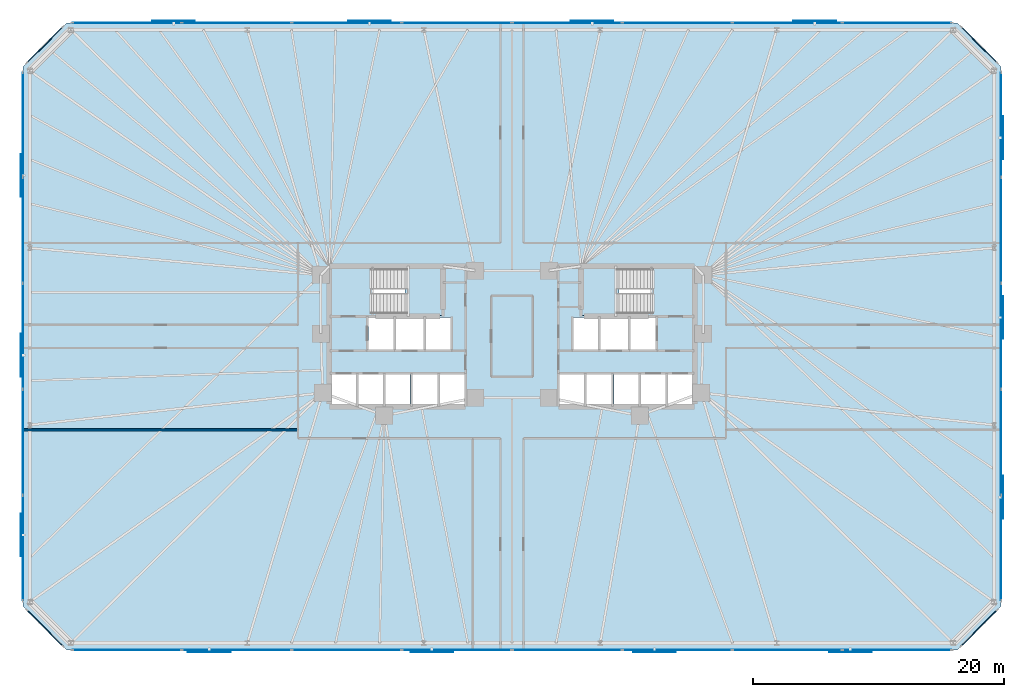
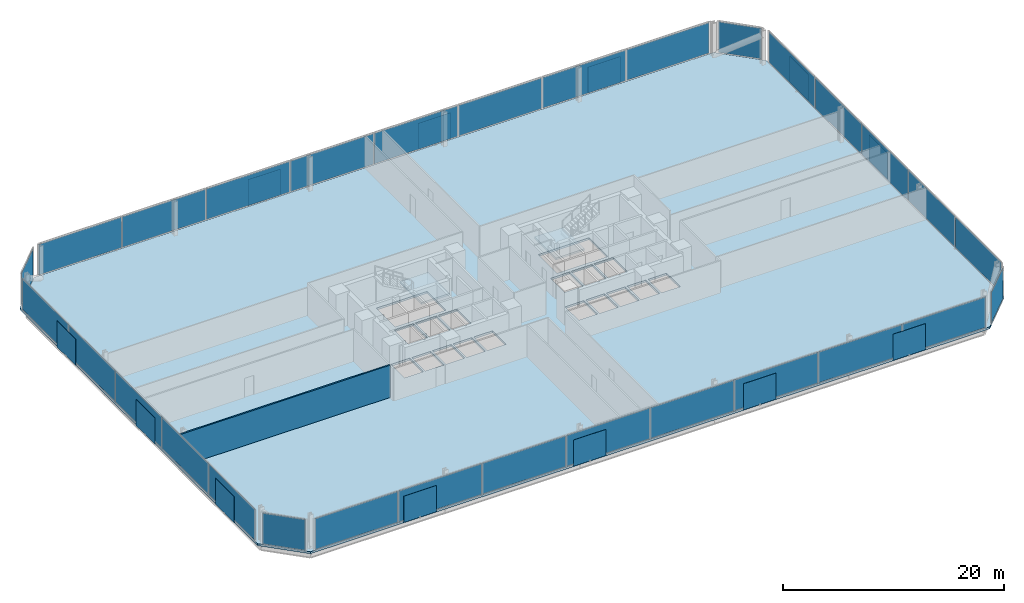
# One storey, part 11 of 16: 44 plates, 3 slabs, 1 wall, 10 elements without a shape of their own.
"""IFC4 building model written with IfcOpenShell, lengths in metres."""

from ifc_helpers import new_model, si_unit, direction, frame, frame_2d, origin, origin_2d, place, context, subcontext, project, spatial, polyline, rectangle, outline, extrude, material, layer, layer_set, type_object, element, aggregate, save


model = new_model("IFC4")

# Units and contexts
model_context = context("Model", 3, precision=1e-05, world=origin(), true_north=direction((0.0, 1.0)))
body_context = subcontext(model_context, "Body", "Model", "MODEL_VIEW")
ifc_project = project(units=[si_unit("LENGTHUNIT", "METRE"), si_unit("AREAUNIT", "SQUARE_METRE"), si_unit("VOLUMEUNIT", "CUBIC_METRE"), si_unit("PLANEANGLEUNIT", "RADIAN"), si_unit("MASSUNIT", "GRAM", prefix="KILO")], contexts=[model_context])

# Site, building, storey
site_placement = place(None, origin())
site = spatial("IfcSite", under=ifc_project, at=site_placement, CompositionType="ELEMENT")
building_placement = place(site_placement, origin())
building = spatial("IfcBuilding", under=site, at=building_placement, Name="Menara Jurai Vektor", CompositionType="ELEMENT")
storey_placement = place(building_placement, frame((0.0, 0.0, 40.800048828125)))
storey = spatial("IfcBuildingStorey", under=building, at=storey_placement, Name="L09", CompositionType="ELEMENT", Elevation=40.800048828125)

# Curtain wall, plates
ifc_material_1 = material(Name="Anodised Pale Aluminium & Low-E Double Glazing", Category="aluminium")
curtain_wall_type = type_object("IfcCurtainWallType", Name="CW-BLK1", PredefinedType="NOTDEFINED", material=ifc_material_1)
curtain_wall_1_placement = place(storey_placement, origin())
curtain_wall_1 = element("IfcCurtainWall", 1, at=curtain_wall_1_placement, inside=storey, type_object=curtain_wall_type, Name="Unitised Curtain Wall L09 F01", PredefinedType="NOTDEFINED")
ifc_material_2 = material(Name="Low-E Solar-Control Double Glazed Unit", Category="glass")
ifc_layer_1 = layer(ifc_material_2, 0.035888671875)
ifc_layer_set_1 = layer_set([ifc_layer_1], Name="Low-E Solar-Control Double Glazed Unit")
plate_type_1 = type_object("IfcPlateType", Name="CW-BLK1-PNL", PredefinedType="CURTAIN_PANEL", material=ifc_layer_set_1)
plate_1_placement = place(storey_placement, frame((-30.706298828125, -25.0, 0.0947265625), z_axis=(0.0, 0.0, 1.0), x_axis=(1.0, 0.0, 0.0)))
plate_1 = element("IfcPlate", 2, at=plate_1_placement, type_object=plate_type_1, Name="CW-01 panel 1.1", PredefinedType="CURTAIN_PANEL", context=body_context, shape_type="SweptSolid", body=[
    extrude(rectangle(XDim=8.637451171875, YDim=0.035888671875, at=origin_2d()), origin(), (0.0, 0.0, 1.0), 3.385009765625),
])
plate_2_placement = place(storey_placement, frame((-21.949951171875, -25.0, 0.0947265625), z_axis=(0.0, 0.0, 1.0), x_axis=(1.0, 0.0, 0.0)))
plate_2 = element("IfcPlate", 3, at=plate_2_placement, type_object=plate_type_1, Name="CW-01 panel 2.1", PredefinedType="CURTAIN_PANEL", context=body_context, shape_type="SweptSolid", body=[
    extrude(rectangle(XDim=8.68505859375, YDim=0.035888671875, at=origin_2d()), origin(), (0.0, 0.0, 1.0), 3.385009765625),
])
plate_3_placement = place(storey_placement, frame((-13.169921875, -25.0, 0.0947265625), z_axis=(0.0, 0.0, 1.0), x_axis=(1.0, 0.0, 0.0)))
plate_3 = element("IfcPlate", 4, at=plate_3_placement, type_object=plate_type_1, Name="CW-01 panel 3.1", PredefinedType="CURTAIN_PANEL", context=body_context, shape_type="SweptSolid", body=[
    extrude(rectangle(XDim=8.68505859375, YDim=0.035888671875, at=origin_2d()), origin(), (0.0, 0.0, 1.0), 3.385009765625),
])
plate_4_placement = place(storey_placement, frame((-4.389892578125, -25.0, 0.0947265625), z_axis=(0.0, 0.0, 1.0), x_axis=(1.0, 0.0, 0.0)))
plate_4 = element("IfcPlate", 5, at=plate_4_placement, type_object=plate_type_1, Name="CW-01 panel 4.1", PredefinedType="CURTAIN_PANEL", context=body_context, shape_type="SweptSolid", body=[
    extrude(rectangle(XDim=8.68505859375, YDim=0.035888671875, at=origin_2d()), origin(), (0.0, 0.0, 1.0), 3.385009765625),
])
plate_5_placement = place(storey_placement, frame((4.389892578125, -25.0, 0.0947265625), z_axis=(0.0, 0.0, 1.0), x_axis=(1.0, 0.0, 0.0)))
plate_5 = element("IfcPlate", 6, at=plate_5_placement, type_object=plate_type_1, Name="CW-01 panel 5.1", PredefinedType="CURTAIN_PANEL", context=body_context, shape_type="SweptSolid", body=[
    extrude(rectangle(XDim=8.68505859375, YDim=0.035888671875, at=origin_2d()), origin(), (0.0, 0.0, 1.0), 3.385009765625),
])
plate_6_placement = place(storey_placement, frame((13.169921875, -25.0, 0.0947265625), z_axis=(0.0, 0.0, 1.0), x_axis=(1.0, 0.0, 0.0)))
plate_6 = element("IfcPlate", 7, at=plate_6_placement, type_object=plate_type_1, Name="CW-01 panel 6.1", PredefinedType="CURTAIN_PANEL", context=body_context, shape_type="SweptSolid", body=[
    extrude(rectangle(XDim=8.68505859375, YDim=0.035888671875, at=origin_2d()), origin(), (0.0, 0.0, 1.0), 3.385009765625),
])
plate_7_placement = place(storey_placement, frame((21.949951171875, -25.0, 0.0947265625), z_axis=(0.0, 0.0, 1.0), x_axis=(1.0, 0.0, 0.0)))
plate_7 = element("IfcPlate", 8, at=plate_7_placement, type_object=plate_type_1, Name="CW-01 panel 7.1", PredefinedType="CURTAIN_PANEL", context=body_context, shape_type="SweptSolid", body=[
    extrude(rectangle(XDim=8.68505859375, YDim=0.035888671875, at=origin_2d()), origin(), (0.0, 0.0, 1.0), 3.385009765625),
])
plate_8_placement = place(storey_placement, frame((30.706298828125, -25.0, 0.0947265625), z_axis=(0.0, 0.0, 1.0), x_axis=(1.0, 0.0, 0.0)))
plate_8 = element("IfcPlate", 9, at=plate_8_placement, type_object=plate_type_1, Name="CW-01 panel 8.1", PredefinedType="CURTAIN_PANEL", context=body_context, shape_type="SweptSolid", body=[
    extrude(rectangle(XDim=8.637451171875, YDim=0.035888671875, at=origin_2d()), origin(), (0.0, 0.0, 1.0), 3.385009765625),
])
aggregate(curtain_wall_1, [plate_1, plate_2, plate_3, plate_4, plate_5, plate_6, plate_7, plate_8])

curtain_wall_2_placement = place(storey_placement, origin())
curtain_wall_2 = element("IfcCurtainWall", 10, at=curtain_wall_2_placement, inside=storey, type_object=curtain_wall_type, Name="Unitised Curtain Wall L09 F03", PredefinedType="NOTDEFINED")
plate_9_placement = place(storey_placement, frame((39.0, -16.872314453125, 0.0947265625), z_axis=(0.0, 0.0, 1.0), x_axis=(0.0, 1.0, 0.0)))
plate_9 = element("IfcPlate", 11, at=plate_9_placement, type_object=plate_type_1, Name="CW-01 panel 1.1", PredefinedType="CURTAIN_PANEL", context=body_context, shape_type="SweptSolid", body=[
    extrude(rectangle(XDim=8.305419921875, YDim=0.035888671875, at=origin_2d()), origin(), (0.0, 0.0, 1.0), 3.385009765625),
])
plate_10_placement = place(storey_placement, frame((39.0, -8.447998046875, 0.0947265625), z_axis=(0.0, 0.0, 1.0), x_axis=(0.0, 1.0, 0.0)))
plate_10 = element("IfcPlate", 12, at=plate_10_placement, type_object=plate_type_1, Name="CW-01 panel 2.1", PredefinedType="CURTAIN_PANEL", context=body_context, shape_type="SweptSolid", body=[
    extrude(rectangle(XDim=8.35302734375, YDim=0.035888671875, at=origin_2d()), origin(), (0.0, 0.0, 1.0), 3.385009765625),
])
plate_11_placement = place(storey_placement, frame((39.0, 0.0, 0.0947265625), z_axis=(0.0, 0.0, 1.0), x_axis=(0.0, 1.0, 0.0)))
plate_11 = element("IfcPlate", 13, at=plate_11_placement, type_object=plate_type_1, Name="CW-01 panel 3.1", PredefinedType="CURTAIN_PANEL", context=body_context, shape_type="SweptSolid", body=[
    extrude(rectangle(XDim=8.35302734375, YDim=0.035888671875, at=origin_2d()), origin(), (0.0, 0.0, 1.0), 3.385009765625),
])
plate_12_placement = place(storey_placement, frame((39.0, 8.447998046875, 0.0947265625), z_axis=(0.0, 0.0, 1.0), x_axis=(0.0, 1.0, 0.0)))
plate_12 = element("IfcPlate", 14, at=plate_12_placement, type_object=plate_type_1, Name="CW-01 panel 4.1", PredefinedType="CURTAIN_PANEL", context=body_context, shape_type="SweptSolid", body=[
    extrude(rectangle(XDim=8.35302734375, YDim=0.035888671875, at=origin_2d()), origin(), (0.0, 0.0, 1.0), 3.385009765625),
])
plate_13_placement = place(storey_placement, frame((39.0, 16.872314453125, 0.0947265625), z_axis=(0.0, 0.0, 1.0), x_axis=(0.0, 1.0, 0.0)))
plate_13 = element("IfcPlate", 15, at=plate_13_placement, type_object=plate_type_1, Name="CW-01 panel 5.1", PredefinedType="CURTAIN_PANEL", context=body_context, shape_type="SweptSolid", body=[
    extrude(rectangle(XDim=8.305419921875, YDim=0.035888671875, at=origin_2d()), origin(), (0.0, 0.0, 1.0), 3.385009765625),
])
aggregate(curtain_wall_2, [plate_9, plate_10, plate_11, plate_12, plate_13])

curtain_wall_3_placement = place(storey_placement, origin())
curtain_wall_3 = element("IfcCurtainWall", 16, at=curtain_wall_3_placement, inside=storey, type_object=curtain_wall_type, Name="Unitised Curtain Wall L09 F05", PredefinedType="NOTDEFINED")
plate_14_placement = place(storey_placement, frame((30.706298828125, 25.0, 0.0947265625), z_axis=(0.0, 0.0, 1.0), x_axis=(-1.0, 0.0, 0.0)))
plate_14 = element("IfcPlate", 17, at=plate_14_placement, type_object=plate_type_1, Name="CW-01 panel 1.1", PredefinedType="CURTAIN_PANEL", context=body_context, shape_type="SweptSolid", body=[
    extrude(rectangle(XDim=8.637451171875, YDim=0.035888671875, at=origin_2d()), origin(), (0.0, 0.0, 1.0), 3.385009765625),
])
plate_15_placement = place(storey_placement, frame((21.949951171875, 25.0, 0.0947265625), z_axis=(0.0, 0.0, 1.0), x_axis=(-1.0, 0.0, 0.0)))
plate_15 = element("IfcPlate", 18, at=plate_15_placement, type_object=plate_type_1, Name="CW-01 panel 2.1", PredefinedType="CURTAIN_PANEL", context=body_context, shape_type="SweptSolid", body=[
    extrude(rectangle(XDim=8.68505859375, YDim=0.035888671875, at=origin_2d()), origin(), (0.0, 0.0, 1.0), 3.385009765625),
])
plate_16_placement = place(storey_placement, frame((13.169921875, 25.0, 0.0947265625), z_axis=(0.0, 0.0, 1.0), x_axis=(-1.0, 0.0, 0.0)))
plate_16 = element("IfcPlate", 19, at=plate_16_placement, type_object=plate_type_1, Name="CW-01 panel 3.1", PredefinedType="CURTAIN_PANEL", context=body_context, shape_type="SweptSolid", body=[
    extrude(rectangle(XDim=8.68505859375, YDim=0.035888671875, at=origin_2d()), origin(), (0.0, 0.0, 1.0), 3.385009765625),
])
plate_17_placement = place(storey_placement, frame((4.389892578125, 25.0, 0.0947265625), z_axis=(0.0, 0.0, 1.0), x_axis=(-1.0, 0.0, 0.0)))
plate_17 = element("IfcPlate", 20, at=plate_17_placement, type_object=plate_type_1, Name="CW-01 panel 4.1", PredefinedType="CURTAIN_PANEL", context=body_context, shape_type="SweptSolid", body=[
    extrude(rectangle(XDim=8.68505859375, YDim=0.035888671875, at=origin_2d()), origin(), (0.0, 0.0, 1.0), 3.385009765625),
])
plate_18_placement = place(storey_placement, frame((-4.389892578125, 25.0, 0.0947265625), z_axis=(0.0, 0.0, 1.0), x_axis=(-1.0, 0.0, 0.0)))
plate_18 = element("IfcPlate", 21, at=plate_18_placement, type_object=plate_type_1, Name="CW-01 panel 5.1", PredefinedType="CURTAIN_PANEL", context=body_context, shape_type="SweptSolid", body=[
    extrude(rectangle(XDim=8.68505859375, YDim=0.035888671875, at=origin_2d()), origin(), (0.0, 0.0, 1.0), 3.385009765625),
])
plate_19_placement = place(storey_placement, frame((-13.169921875, 25.0, 0.0947265625), z_axis=(0.0, 0.0, 1.0), x_axis=(-1.0, 0.0, 0.0)))
plate_19 = element("IfcPlate", 22, at=plate_19_placement, type_object=plate_type_1, Name="CW-01 panel 6.1", PredefinedType="CURTAIN_PANEL", context=body_context, shape_type="SweptSolid", body=[
    extrude(rectangle(XDim=8.68505859375, YDim=0.035888671875, at=origin_2d()), origin(), (0.0, 0.0, 1.0), 3.385009765625),
])
plate_20_placement = place(storey_placement, frame((-21.949951171875, 25.0, 0.0947265625), z_axis=(0.0, 0.0, 1.0), x_axis=(-1.0, 0.0, 0.0)))
plate_20 = element("IfcPlate", 23, at=plate_20_placement, type_object=plate_type_1, Name="CW-01 panel 7.1", PredefinedType="CURTAIN_PANEL", context=body_context, shape_type="SweptSolid", body=[
    extrude(rectangle(XDim=8.68505859375, YDim=0.035888671875, at=origin_2d()), origin(), (0.0, 0.0, 1.0), 3.385009765625),
])
plate_21_placement = place(storey_placement, frame((-30.706298828125, 25.0, 0.0947265625), z_axis=(0.0, 0.0, 1.0), x_axis=(-1.0, 0.0, 0.0)))
plate_21 = element("IfcPlate", 24, at=plate_21_placement, type_object=plate_type_1, Name="CW-01 panel 8.1", PredefinedType="CURTAIN_PANEL", context=body_context, shape_type="SweptSolid", body=[
    extrude(rectangle(XDim=8.637451171875, YDim=0.035888671875, at=origin_2d()), origin(), (0.0, 0.0, 1.0), 3.385009765625),
])
aggregate(curtain_wall_3, [plate_14, plate_15, plate_16, plate_17, plate_18, plate_19, plate_20, plate_21])

curtain_wall_4_placement = place(storey_placement, origin())
curtain_wall_4 = element("IfcCurtainWall", 25, at=curtain_wall_4_placement, inside=storey, type_object=curtain_wall_type, Name="Unitised Curtain Wall L09 F07", PredefinedType="NOTDEFINED")
plate_22_placement = place(storey_placement, frame((-39.0, 16.872314453125, 0.0947265625), z_axis=(0.0, 0.0, 1.0), x_axis=(0.0, -1.0, 0.0)))
plate_22 = element("IfcPlate", 26, at=plate_22_placement, type_object=plate_type_1, Name="CW-01 panel 1.1", PredefinedType="CURTAIN_PANEL", context=body_context, shape_type="SweptSolid", body=[
    extrude(rectangle(XDim=8.305419921875, YDim=0.035888671875, at=origin_2d()), origin(), (0.0, 0.0, 1.0), 3.385009765625),
])
plate_23_placement = place(storey_placement, frame((-39.0, 8.447998046875, 0.0947265625), z_axis=(0.0, 0.0, 1.0), x_axis=(0.0, -1.0, 0.0)))
plate_23 = element("IfcPlate", 27, at=plate_23_placement, type_object=plate_type_1, Name="CW-01 panel 2.1", PredefinedType="CURTAIN_PANEL", context=body_context, shape_type="SweptSolid", body=[
    extrude(rectangle(XDim=8.35302734375, YDim=0.035888671875, at=origin_2d()), origin(), (0.0, 0.0, 1.0), 3.385009765625),
])
plate_24_placement = place(storey_placement, frame((-39.0, 0.0, 0.0947265625), z_axis=(0.0, 0.0, 1.0), x_axis=(0.0, -1.0, 0.0)))
plate_24 = element("IfcPlate", 28, at=plate_24_placement, type_object=plate_type_1, Name="CW-01 panel 3.1", PredefinedType="CURTAIN_PANEL", context=body_context, shape_type="SweptSolid", body=[
    extrude(rectangle(XDim=8.35302734375, YDim=0.035888671875, at=origin_2d()), origin(), (0.0, 0.0, 1.0), 3.385009765625),
])
plate_25_placement = place(storey_placement, frame((-39.0, -8.447998046875, 0.0947265625), z_axis=(0.0, 0.0, 1.0), x_axis=(0.0, -1.0, 0.0)))
plate_25 = element("IfcPlate", 29, at=plate_25_placement, type_object=plate_type_1, Name="CW-01 panel 4.1", PredefinedType="CURTAIN_PANEL", context=body_context, shape_type="SweptSolid", body=[
    extrude(rectangle(XDim=8.35302734375, YDim=0.035888671875, at=origin_2d()), origin(), (0.0, 0.0, 1.0), 3.385009765625),
])
plate_26_placement = place(storey_placement, frame((-39.0, -16.872314453125, 0.0947265625), z_axis=(0.0, 0.0, 1.0), x_axis=(0.0, -1.0, 0.0)))
plate_26 = element("IfcPlate", 30, at=plate_26_placement, type_object=plate_type_1, Name="CW-01 panel 5.1", PredefinedType="CURTAIN_PANEL", context=body_context, shape_type="SweptSolid", body=[
    extrude(rectangle(XDim=8.305419921875, YDim=0.035888671875, at=origin_2d()), origin(), (0.0, 0.0, 1.0), 3.385009765625),
])
aggregate(curtain_wall_4, [plate_22, plate_23, plate_24, plate_25, plate_26])

# Curtain wall, plate
curtain_wall_5_placement = place(storey_placement, origin())
curtain_wall_5 = element("IfcCurtainWall", 31, at=curtain_wall_5_placement, inside=storey, type_object=curtain_wall_type, Name="Unitised Curtain Wall L09 F02", PredefinedType="NOTDEFINED")
ifc_material_3 = material(Name="Insulated Pale Aluminium Spandrel Panel", Category="aluminium")
ifc_layer_2 = layer(ifc_material_3, 0.06005859375)
ifc_layer_set_2 = layer_set([ifc_layer_2], Name="Insulated Pale Aluminium Spandrel Panel")
plate_type_2 = type_object("IfcPlateType", Name="CW-PNL-SP", PredefinedType="CURTAIN_PANEL", material=ifc_layer_set_2)
plate_27_placement = place(storey_placement, frame((37.25, -23.25, 0.0947265625), z_axis=(0.0, 0.0, 1.0), x_axis=(0.707106781187, 0.707106781187, 0.0)))
plate_27 = element("IfcPlate", 32, at=plate_27_placement, type_object=plate_type_2, Name="CW-01 panel 1.1", PredefinedType="CURTAIN_PANEL", context=body_context, shape_type="SweptSolid", body=[
    extrude(rectangle(XDim=3.999755859375, YDim=0.06005859375, at=origin_2d()), origin(), (0.0, 0.0, 1.0), 3.385009765625),
])
aggregate(curtain_wall_5, [plate_27])

curtain_wall_6_placement = place(storey_placement, origin())
curtain_wall_6 = element("IfcCurtainWall", 33, at=curtain_wall_6_placement, inside=storey, type_object=curtain_wall_type, Name="Unitised Curtain Wall L09 F04", PredefinedType="NOTDEFINED")
plate_28_placement = place(storey_placement, frame((37.25, 23.25, 0.0947265625), z_axis=(0.0, 0.0, 1.0), x_axis=(-0.707106781187, 0.707106781187, 0.0)))
plate_28 = element("IfcPlate", 34, at=plate_28_placement, type_object=plate_type_2, Name="CW-01 panel 1.1", PredefinedType="CURTAIN_PANEL", context=body_context, shape_type="SweptSolid", body=[
    extrude(rectangle(XDim=3.999755859375, YDim=0.06005859375, at=origin_2d()), origin(), (0.0, 0.0, 1.0), 3.385009765625),
])
aggregate(curtain_wall_6, [plate_28])

curtain_wall_7_placement = place(storey_placement, origin())
curtain_wall_7 = element("IfcCurtainWall", 35, at=curtain_wall_7_placement, inside=storey, type_object=curtain_wall_type, Name="Unitised Curtain Wall L09 F06", PredefinedType="NOTDEFINED")
plate_29_placement = place(storey_placement, frame((-37.25, 23.25, 0.0947265625), z_axis=(0.0, 0.0, 1.0), x_axis=(-0.707106781187, -0.707106781187, 0.0)))
plate_29 = element("IfcPlate", 36, at=plate_29_placement, type_object=plate_type_2, Name="CW-01 panel 1.1", PredefinedType="CURTAIN_PANEL", context=body_context, shape_type="SweptSolid", body=[
    extrude(rectangle(XDim=3.999755859375, YDim=0.06005859375, at=origin_2d()), origin(), (0.0, 0.0, 1.0), 3.385009765625),
])
aggregate(curtain_wall_7, [plate_29])

curtain_wall_8_placement = place(storey_placement, origin())
curtain_wall_8 = element("IfcCurtainWall", 37, at=curtain_wall_8_placement, inside=storey, type_object=curtain_wall_type, Name="Unitised Curtain Wall L09 F08", PredefinedType="NOTDEFINED")
plate_30_placement = place(storey_placement, frame((-37.25, -23.25, 0.0947265625), z_axis=(0.0, 0.0, 1.0), x_axis=(0.707106781187, -0.707106781187, 0.0)))
plate_30 = element("IfcPlate", 38, at=plate_30_placement, type_object=plate_type_2, Name="CW-01 panel 1.1", PredefinedType="CURTAIN_PANEL", context=body_context, shape_type="SweptSolid", body=[
    extrude(rectangle(XDim=3.999755859375, YDim=0.06005859375, at=origin_2d()), origin(), (0.0, 0.0, 1.0), 3.385009765625),
])
aggregate(curtain_wall_8, [plate_30])

# Plates
ifc_material_4 = material(Name="Anodised Pale Aluminium Perforated Screen", Category="aluminium")
ifc_layer_3 = layer(ifc_material_4, 0.02392578125)
ifc_layer_set_3 = layer_set([ifc_layer_3], Name="Anodised Pale Aluminium Perforated Screen")
plate_type_3 = type_object("IfcPlateType", Name="ENV-PLT-SCREEN", PredefinedType="USERDEFINED", material=ifc_layer_set_3)
for number, where, z_axis, x_axis, name in (
    (39, (-24.139892578125, -25.159912109375, -0.050048828125), (0.0, 0.0, 1.0), (1.0, 0.0, 0.0), "Perforated Pale-Metal Solar Screen L09-S01"),
    (40, (-6.389892578125, -25.159912109375, -0.050048828125), (0.0, 0.0, 1.0), (1.0, 0.0, 0.0), "Perforated Pale-Metal Solar Screen L09-S02"),
    (41, (11.360107421875, -25.159912109375, -0.050048828125), (0.0, 0.0, 1.0), (1.0, 0.0, 0.0), "Perforated Pale-Metal Solar Screen L09-S03"),
    (42, (26.97998046875, -25.159912109375, -0.050048828125), (0.0, 0.0, 1.0), (1.0, 0.0, 0.0), "Perforated Pale-Metal Solar Screen L09-S04"),
    (43, (39.159912109375, -12.828369140625, -0.050048828125), (0.0, 0.0, 1.0), (0.0, 1.0, 0.0), "Perforated Pale-Metal Solar Screen L09-S05"),
    (44, (39.159912109375, 1.5048828125, -0.050048828125), (0.0, 0.0, 1.0), (0.0, 1.0, 0.0), "Perforated Pale-Metal Solar Screen L09-S06"),
    (45, (39.159912109375, 15.83837890625, -0.050048828125), (0.0, 0.0, 1.0), (0.0, 1.0, 0.0), "Perforated Pale-Metal Solar Screen L09-S07"),
    (46, (24.139892578125, 25.159912109375, -0.050048828125), (0.0, 0.0, 1.0), (-1.0, 0.0, 0.0), "Perforated Pale-Metal Solar Screen L09-S08"),
    (47, (6.389892578125, 25.159912109375, -0.050048828125), (0.0, 0.0, 1.0), (-1.0, 0.0, 0.0), "Perforated Pale-Metal Solar Screen L09-S09"),
    (48, (-11.360107421875, 25.159912109375, -0.050048828125), (0.0, 0.0, 1.0), (-1.0, 0.0, 0.0), "Perforated Pale-Metal Solar Screen L09-S10"),
    (49, (-26.97998046875, 25.159912109375, -0.050048828125), (0.0, 0.0, 1.0), (-1.0, 0.0, 0.0), "Perforated Pale-Metal Solar Screen L09-S11"),
    (50, (-39.159912109375, 12.828369140625, -0.050048828125), (0.0, 0.0, 1.0), (0.0, -1.0, 0.0), "Perforated Pale-Metal Solar Screen L09-S12"),
    (51, (-39.159912109375, -1.5048828125, -0.050048828125), (0.0, 0.0, 1.0), (0.0, -1.0, 0.0), "Perforated Pale-Metal Solar Screen L09-S13"),
    (52, (-39.159912109375, -15.83837890625, -0.050048828125), (0.0, 0.0, 1.0), (0.0, -1.0, 0.0), "Perforated Pale-Metal Solar Screen L09-S14"),
):
    element("IfcPlate", number, at=place(storey_placement, frame(where, z_axis=z_axis, x_axis=x_axis)), inside=storey, type_object=plate_type_3, Name=name, ObjectType="SCREEN", PredefinedType="USERDEFINED", context=body_context, shape_type="SweptSolid", body=[
        extrude(rectangle(XDim=3.39990234375, YDim=0.02392578125, at=origin_2d()), origin(), (0.0, 0.0, 1.0), 2.89990234375),
    ])

# Stair, slab
ifc_material_5 = material(Name="Concrete C40/50", Category="concrete")
stair_type = type_object("IfcStairType", Name="STAIR-DOGLEG-1500", PredefinedType="HALF_TURN_STAIR", material=ifc_material_5)
stair_1_placement = place(storey_placement, origin())
stair_1 = element("IfcStair", 53, at=stair_1_placement, inside=storey, type_object=stair_type, Name="Protected Exit Stair ST1 L09", PredefinedType="HALF_TURN_STAIR")
ifc_layer_4 = layer(ifc_material_5, 0.199951171875)
ifc_layer_set_4 = layer_set([ifc_layer_4], Name="Concrete C40/50")
slab_type_1 = type_object("IfcSlabType", Name="STAIR-LANDING-200", PredefinedType="LANDING", material=ifc_layer_set_4)
slab_1_placement = place(storey_placement, frame((0.0, 0.0, 1.699951171875)))
slab_1 = element("IfcSlab", 54, at=slab_1_placement, type_object=slab_type_1, Name="ST1 landing 1", PredefinedType="LANDING", context=body_context, shape_type="SweptSolid", body=[
    extrude(outline(polyline([(-8.52001953125, 1.64990234375), (-5.550048828125, 1.64990234375), (-5.550048828125, 5.550048828125), (-8.52001953125, 5.550048828125), (-8.52001953125, 1.64990234375)])), origin(), (0.0, 0.0, 1.0), 0.199951171875),
])
aggregate(stair_1, [slab_1])

stair_2_placement = place(storey_placement, origin())
stair_2 = element("IfcStair", 55, at=stair_2_placement, inside=storey, type_object=stair_type, Name="Protected Exit Stair ST2 L09", PredefinedType="HALF_TURN_STAIR")
slab_2_placement = place(storey_placement, frame((0.0, 0.0, 1.699951171875)))
slab_2 = element("IfcSlab", 56, at=slab_2_placement, type_object=slab_type_1, Name="ST2 landing 1", PredefinedType="LANDING", context=body_context, shape_type="SweptSolid", body=[
    extrude(outline(polyline([(5.550048828125, 1.64990234375), (8.52001953125, 1.64990234375), (8.52001953125, 5.550048828125), (5.550048828125, 5.550048828125), (5.550048828125, 1.64990234375)])), origin(), (0.0, 0.0, 1.0), 0.199951171875),
])
aggregate(stair_2, [slab_2])

# Slab
ifc_layer_5 = layer(ifc_material_5, 0.22509765625)
ifc_layer_set_5 = layer_set([ifc_layer_5], Name="Concrete C40/50")
slab_type_2 = type_object("IfcSlabType", Name="STR-SLAB-TYP200", PredefinedType="FLOOR", material=ifc_layer_set_5)
slab_3_placement = place(storey_placement, frame((0.0, 0.0, -0.22509765625)))
element("IfcSlab", 57, at=slab_3_placement, inside=storey, type_object=slab_type_2, Name="Composite Floor Slab L09", PredefinedType="FLOOR", context=body_context, shape_type="SweptSolid", body=[
    extrude(outline(polyline([(-35.5, -25.0), (35.5, -25.0), (39.0, -21.5), (39.0, 21.5), (35.5, 25.0), (-35.5, 25.0), (-39.0, 21.5), (-39.0, -21.5), (-35.5, -25.0)]), holes=[polyline([(-11.10009765625, 1.89990234375), (-11.10009765625, 5.300048828125), (-5.800048828125, 5.300048828125), (-5.800048828125, 1.89990234375), (-11.10009765625, 1.89990234375)]), polyline([(5.800048828125, 1.89990234375), (5.800048828125, 5.300048828125), (11.10009765625, 5.300048828125), (11.10009765625, 1.89990234375), (5.800048828125, 1.89990234375)]), polyline([(-11.449951171875, -1.050048828125), (-11.449951171875, 1.5), (-9.449951171875, 1.5), (-9.449951171875, -1.050048828125), (-11.449951171875, -1.050048828125)]), polyline([(9.449951171875, -1.050048828125), (9.449951171875, 1.5), (11.449951171875, 1.5), (11.449951171875, -1.050048828125), (9.449951171875, -1.050048828125)]), polyline([(-5.760009765625, -5.5), (-5.760009765625, -3.050048828125), (-3.800048828125, -3.050048828125), (-3.800048828125, -5.5), (-5.760009765625, -5.5)]), polyline([(-6.85009765625, -1.050048828125), (-6.85009765625, 1.5), (-4.889892578125, 1.5), (-4.889892578125, -1.050048828125), (-6.85009765625, -1.050048828125)]), polyline([(3.800048828125, -5.5), (3.800048828125, -3.050048828125), (5.760009765625, -3.050048828125), (5.760009765625, -5.5), (3.800048828125, -5.5)]), polyline([(4.889892578125, -1.050048828125), (4.889892578125, 1.5), (6.85009765625, 1.5), (6.85009765625, -1.050048828125), (4.889892578125, -1.050048828125)]), polyline([(-14.39990234375, -5.5), (-14.39990234375, -3.050048828125), (-12.43994140625, -3.050048828125), (-12.43994140625, -5.5), (-14.39990234375, -5.5)]), polyline([(-12.239990234375, -5.5), (-12.239990234375, -3.050048828125), (-10.280029296875, -3.050048828125), (-10.280029296875, -5.5), (-12.239990234375, -5.5)]), polyline([(10.280029296875, -5.5), (10.280029296875, -3.050048828125), (12.239990234375, -3.050048828125), (12.239990234375, -5.5), (10.280029296875, -5.5)]), polyline([(12.43994140625, -5.5), (12.43994140625, -3.050048828125), (14.39990234375, -3.050048828125), (14.39990234375, -5.5), (12.43994140625, -5.5)]), polyline([(-10.080078125, -5.5), (-10.080078125, -3.050048828125), (-8.1201171875, -3.050048828125), (-8.1201171875, -5.5), (-10.080078125, -5.5)]), polyline([(-7.919921875, -5.5), (-7.919921875, -3.050048828125), (-5.9599609375, -3.050048828125), (-5.9599609375, -5.5), (-7.919921875, -5.5)]), polyline([(5.9599609375, -5.5), (5.9599609375, -3.050048828125), (7.919921875, -3.050048828125), (7.919921875, -5.5), (5.9599609375, -5.5)]), polyline([(8.1201171875, -5.5), (8.1201171875, -3.050048828125), (10.080078125, -3.050048828125), (10.080078125, -5.5), (8.1201171875, -5.5)]), polyline([(-9.25, -1.050048828125), (-9.25, 1.5), (-7.050048828125, 1.5), (-7.050048828125, -1.050048828125), (-9.25, -1.050048828125)]), polyline([(7.050048828125, -1.050048828125), (7.050048828125, 1.5), (9.25, 1.5), (9.25, -1.050048828125), (7.050048828125, -1.050048828125)])]), origin(), (0.0, 0.0, 1.0), 0.22509765625),
])

# Wall
ifc_material_6 = material(Name="Gypsum Fireboard Partition", Category="gypsum")
ifc_layer_6 = layer(ifc_material_6, 0.14990234375)
ifc_layer_set_6 = layer_set([ifc_layer_6], Name="Gypsum Fireboard Partition")
wall_type = type_object("IfcWallType", Name="INT-WALL-CORR-150", PredefinedType="PARTITIONING", material=ifc_layer_set_6)
wall_placement = place(storey_placement, frame((-39.0, -7.449951171875, 0.0), z_axis=(0.0, 0.0, 1.0), x_axis=(1.0, 0.0, 0.0)))
element("IfcWall", 58, at=wall_placement, inside=storey, type_object=wall_type, Name="Interior Wall IW-150 L09", PredefinedType="PARTITIONING", context=body_context, shape_type="SweptSolid", body=[
    extrude(rectangle(XDim=21.94091796875, YDim=0.14990234375, at=frame_2d((10.970458984375, 0.0))), origin(), (0.0, 0.0, 1.0), 3.574951171875),
])

save(model, "model.ifc")
